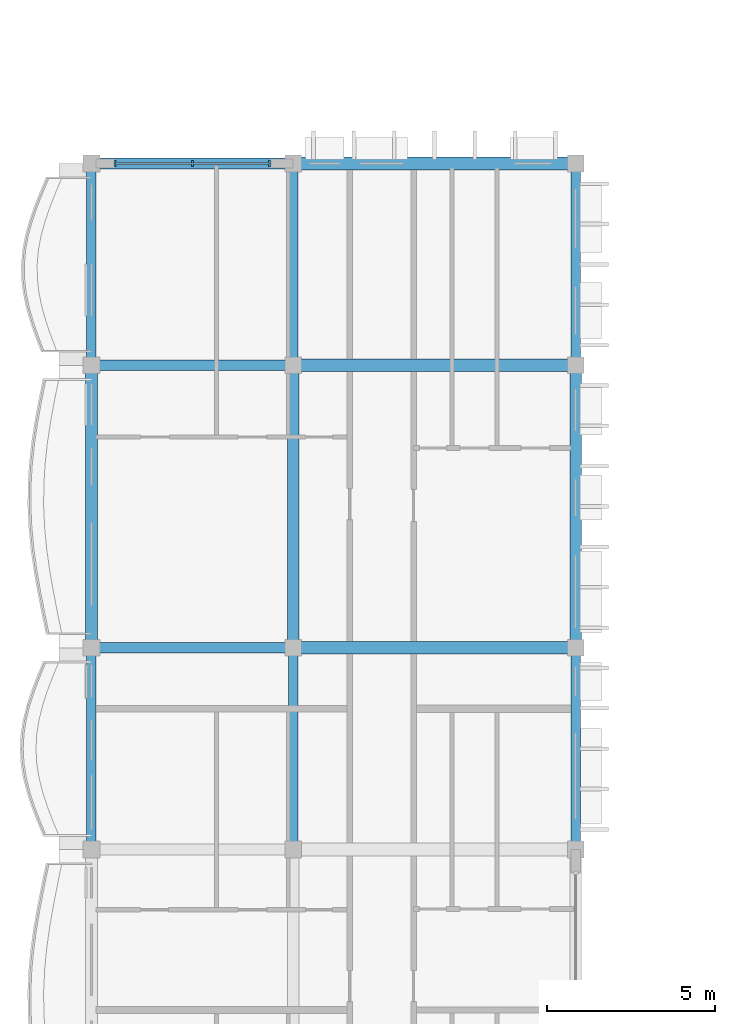
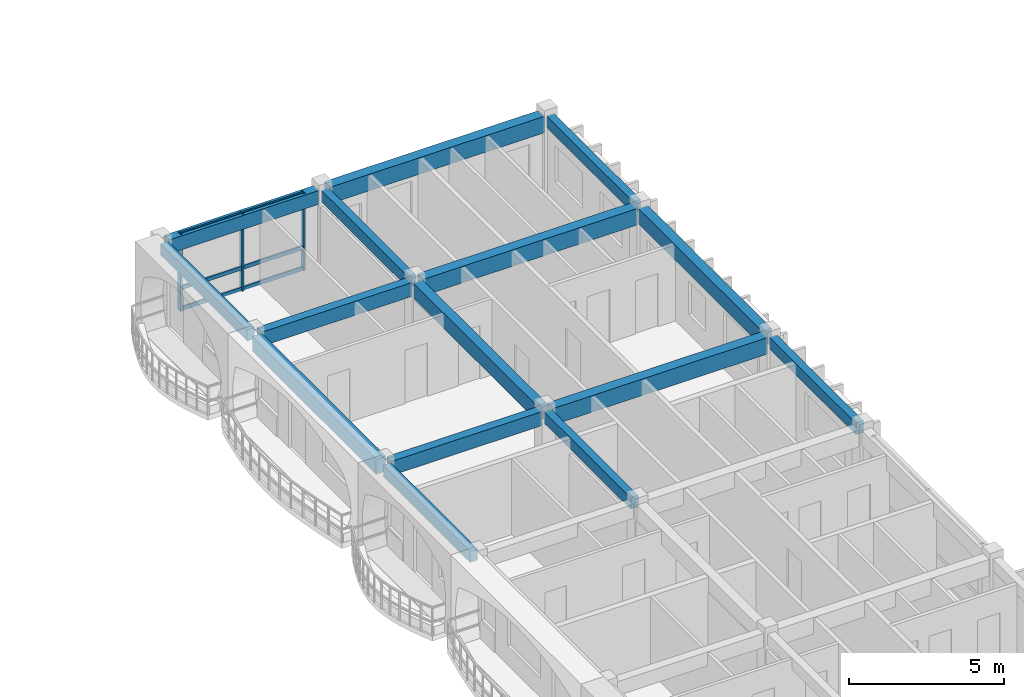
# One storey, part 7 of 68: 15 beams, 6 members, 1 element without a shape of its own.
"""IFC4 building model written with IfcOpenShell, lengths in metres."""

from ifc_helpers import new_model, si_unit, direction, frame, origin, origin_2d, place, context, subcontext, project, spatial, rectangle, extrude, material, material_profile, profile_set, type_object, element, aggregate, save


model = new_model("IFC4")

# Units and contexts
model_context = context("Model", 3, precision=1e-05, world=origin(), true_north=direction((0.0, 1.0)))
body_context = subcontext(model_context, "Body", "Model", "MODEL_VIEW")
ifc_project = project(units=[si_unit("LENGTHUNIT", "METRE"), si_unit("AREAUNIT", "SQUARE_METRE"), si_unit("VOLUMEUNIT", "CUBIC_METRE"), si_unit("PLANEANGLEUNIT", "RADIAN"), si_unit("MASSUNIT", "GRAM", prefix="KILO"), si_unit("THERMODYNAMICTEMPERATUREUNIT", "KELVIN")], contexts=[model_context])

# Site, building, storey
site_placement = place(None, origin())
site = spatial("IfcSite", under=ifc_project, at=site_placement, CompositionType="ELEMENT")
building_placement = place(site_placement, origin())
building = spatial("IfcBuilding", under=site, at=building_placement, Name="Thalorik Housing Commons", CompositionType="ELEMENT")
storey_placement = place(building_placement, frame((0.0, 0.0, 24.60009765625)))
storey = spatial("IfcBuildingStorey", under=building, at=storey_placement, Name="L07", CompositionType="ELEMENT", Elevation=24.60009765625)

# Curtain wall, members
ifc_material_1 = material(Name="Anodised aluminium and solar-control low-E glass", Category="aluminium")
curtain_wall_type = type_object("IfcCurtainWallType", Name="ARC-CW-LOUNGE", PredefinedType="USERDEFINED", material=ifc_material_1)
curtain_wall_placement = place(storey_placement, origin())
curtain_wall = element("IfcCurtainWall", 1, at=curtain_wall_placement, inside=storey, type_object=curtain_wall_type, Name="L07 Curtain Wall CW-RES-L07-C-156", ObjectType="CURTAIN WALL", PredefinedType="USERDEFINED")
ifc_material_2 = material(Name="Anodised aluminium 6063-T6", Category="aluminium")
ifc_material_profile_1 = material_profile(ifc_material_2, rectangle(XDim=0.06494140625, YDim=0.179931640625, at=origin_2d()), Name="ALU MUL 65x180", Category="aluminium")
ifc_profile_set_1 = profile_set([ifc_material_profile_1], Name="Anodised aluminium 6063-T6")
member_type_1 = type_object("IfcMemberType", Name="ARC-CW-MUL-65x180", PredefinedType="MULLION", material=ifc_profile_set_1)
member_1_placement = place(storey_placement, frame((13.699951171875, 57.60009765625, 0.0), z_axis=(0.0, 0.0, 1.0), x_axis=(-1.0, 0.0, 0.0)))
member_1 = element("IfcMember", 2, at=member_1_placement, type_object=member_type_1, Name="CW-RES-L07-C-156 Mullion 1", PredefinedType="MULLION", context=body_context, shape_type="SweptSolid", body=[
    extrude(rectangle(XDim=0.06494140625, YDim=0.179931640625, at=origin_2d()), origin(), (0.0, 0.0, 1.0), 3.039794921875),
])
member_2_placement = place(storey_placement, frame((11.39990234375, 57.60009765625, 0.0), z_axis=(0.0, 0.0, 1.0), x_axis=(-1.0, 0.0, 0.0)))
member_2 = element("IfcMember", 3, at=member_2_placement, type_object=member_type_1, Name="CW-RES-L07-C-156 Mullion 2", PredefinedType="MULLION", context=body_context, shape_type="SweptSolid", body=[
    extrude(rectangle(XDim=0.06494140625, YDim=0.179931640625, at=origin_2d()), origin(), (0.0, 0.0, 1.0), 3.039794921875),
])
member_3_placement = place(storey_placement, frame((9.10009765625, 57.60009765625, 0.0), z_axis=(0.0, 0.0, 1.0), x_axis=(-1.0, 0.0, 0.0)))
member_3 = element("IfcMember", 4, at=member_3_placement, type_object=member_type_1, Name="CW-RES-L07-C-156 Mullion 3", PredefinedType="MULLION", context=body_context, shape_type="SweptSolid", body=[
    extrude(rectangle(XDim=0.06494140625, YDim=0.179931640625, at=origin_2d()), origin(), (0.0, 0.0, 1.0), 3.039794921875),
])
ifc_material_profile_2 = material_profile(ifc_material_2, rectangle(XDim=0.06494140625, YDim=0.14990234375, at=origin_2d()), Name="ALU TRN 65x150", Category="aluminium")
ifc_profile_set_2 = profile_set([ifc_material_profile_2], Name="Anodised aluminium 6063-T6")
member_type_2 = type_object("IfcMemberType", Name="ARC-CW-TRN-65x150", PredefinedType="USERDEFINED", material=ifc_profile_set_2)
member_4_placement = place(storey_placement, frame((13.699951171875, 57.60009765625, 0.054931640625), z_axis=(-1.0, 0.0, 0.0), x_axis=(0.0, -1.0, 0.0)))
member_4 = element("IfcMember", 5, at=member_4_placement, type_object=member_type_2, Name="CW-RES-L07-C-156 Transom 1", ObjectType="TRANSOM", PredefinedType="USERDEFINED", context=body_context, shape_type="SweptSolid", body=[
    extrude(rectangle(XDim=0.06494140625, YDim=0.14990234375, at=origin_2d()), origin(), (0.0, 0.0, 1.0), 4.599853515625),
])
member_5_placement = place(storey_placement, frame((13.699951171875, 57.60009765625, 0.8798828125), z_axis=(-1.0, 0.0, 0.0), x_axis=(0.0, -1.0, 0.0)))
member_5 = element("IfcMember", 6, at=member_5_placement, type_object=member_type_2, Name="CW-RES-L07-C-156 Transom 2", ObjectType="TRANSOM", PredefinedType="USERDEFINED", context=body_context, shape_type="SweptSolid", body=[
    extrude(rectangle(XDim=0.06494140625, YDim=0.14990234375, at=origin_2d()), origin(), (0.0, 0.0, 1.0), 4.599853515625),
])
member_6_placement = place(storey_placement, frame((13.699951171875, 57.60009765625, 2.98486328125), z_axis=(-1.0, 0.0, 0.0), x_axis=(0.0, -1.0, 0.0)))
member_6 = element("IfcMember", 7, at=member_6_placement, type_object=member_type_2, Name="CW-RES-L07-C-156 Transom 3", ObjectType="TRANSOM", PredefinedType="USERDEFINED", context=body_context, shape_type="SweptSolid", body=[
    extrude(rectangle(XDim=0.06494140625, YDim=0.14990234375, at=origin_2d()), origin(), (0.0, 0.0, 1.0), 4.599853515625),
])
aggregate(curtain_wall, [member_1, member_2, member_3, member_4, member_5, member_6])

# Beams
ifc_material_3 = material(Name="Precast concrete C40/50", Category="concrete")
ifc_material_profile_3 = material_profile(ifc_material_3, rectangle(XDim=0.280029296875, YDim=0.449951171875, at=origin_2d()), Name="PC 280x450", Category="concrete")
ifc_profile_set_3 = profile_set([ifc_material_profile_3], Name="Precast concrete C40/50")
beam_type_1 = type_object("IfcBeamType", Name="STR-BM-PC280x450", PredefinedType="BEAM", material=ifc_profile_set_3)
beam_1_placement = place(storey_placement, frame((8.39990234375, 37.39990234375, 2.81494140625), z_axis=(0.0, 1.0, 0.0), x_axis=(-1.0, 0.0, 0.0)))
element("IfcBeam", 8, at=beam_1_placement, inside=storey, type_object=beam_type_1, Name="L07 Beam B-450", PredefinedType="BEAM", context=body_context, shape_type="SweptSolid", body=[
    extrude(rectangle(XDim=0.280029296875, YDim=0.449951171875, at=origin_2d()), origin(), (0.0, 0.0, 1.0), 5.60009765625),
])
beam_2_placement = place(storey_placement, frame((8.39990234375, 51.800048828125, 2.81494140625), z_axis=(0.0, 1.0, 0.0), x_axis=(-1.0, 0.0, 0.0)))
element("IfcBeam", 9, at=beam_2_placement, inside=storey, type_object=beam_type_1, Name="L07 Beam B-450", PredefinedType="BEAM", context=body_context, shape_type="SweptSolid", body=[
    extrude(rectangle(XDim=0.280029296875, YDim=0.449951171875, at=origin_2d()), origin(), (0.0, 0.0, 1.0), 5.599853515625),
])
beam_3_placement = place(storey_placement, frame((14.39990234375, 37.39990234375, 2.81494140625), z_axis=(0.0, 1.0, 0.0), x_axis=(-1.0, 0.0, 0.0)))
element("IfcBeam", 10, at=beam_3_placement, inside=storey, type_object=beam_type_1, Name="L07 Beam B-450", PredefinedType="BEAM", context=body_context, shape_type="SweptSolid", body=[
    extrude(rectangle(XDim=0.280029296875, YDim=0.449951171875, at=origin_2d()), origin(), (0.0, 0.0, 1.0), 5.60009765625),
])
beam_4_placement = place(storey_placement, frame((14.39990234375, 51.800048828125, 2.81494140625), z_axis=(0.0, 1.0, 0.0), x_axis=(-1.0, 0.0, 0.0)))
element("IfcBeam", 11, at=beam_4_placement, inside=storey, type_object=beam_type_1, Name="L07 Beam B-450", PredefinedType="BEAM", context=body_context, shape_type="SweptSolid", body=[
    extrude(rectangle(XDim=0.280029296875, YDim=0.449951171875, at=origin_2d()), origin(), (0.0, 0.0, 1.0), 5.599853515625),
])
beam_5_placement = place(storey_placement, frame((22.800048828125, 37.39990234375, 2.81494140625), z_axis=(0.0, 1.0, 0.0), x_axis=(-1.0, 0.0, 0.0)))
element("IfcBeam", 12, at=beam_5_placement, inside=storey, type_object=beam_type_1, Name="L07 Beam B-450", PredefinedType="BEAM", context=body_context, shape_type="SweptSolid", body=[
    extrude(rectangle(XDim=0.280029296875, YDim=0.449951171875, at=origin_2d()), origin(), (0.0, 0.0, 1.0), 5.60009765625),
])
beam_6_placement = place(storey_placement, frame((22.800048828125, 51.800048828125, 2.81494140625), z_axis=(0.0, 1.0, 0.0), x_axis=(-1.0, 0.0, 0.0)))
element("IfcBeam", 13, at=beam_6_placement, inside=storey, type_object=beam_type_1, Name="L07 Beam B-450", PredefinedType="BEAM", context=body_context, shape_type="SweptSolid", body=[
    extrude(rectangle(XDim=0.280029296875, YDim=0.449951171875, at=origin_2d()), origin(), (0.0, 0.0, 1.0), 5.599853515625),
])
ifc_material_profile_4 = material_profile(ifc_material_3, rectangle(XDim=0.320068359375, YDim=0.550048828125, at=origin_2d()), Name="PC 320x550", Category="concrete")
ifc_profile_set_4 = profile_set([ifc_material_profile_4], Name="Precast concrete C40/50")
beam_type_2 = type_object("IfcBeamType", Name="STR-BM-PC320x550", PredefinedType="BEAM", material=ifc_profile_set_4)
for number, where, z_axis, x_axis, name in (
    (14, (8.60009765625, 43.199951171875, 2.764892578125), (1.0, 0.0, 0.0), (0.0, 1.0, 0.0), "L07 Beam B-550"),
    (15, (8.60009765625, 51.60009765625, 2.764892578125), (1.0, 0.0, 0.0), (0.0, 1.0, 0.0), "L07 Beam B-550"),
    (16, (8.60009765625, 57.60009765625, 2.764892578125), (1.0, 0.0, 0.0), (0.0, 1.0, 0.0), "L07 Beam B-550"),
):
    element("IfcBeam", number, at=place(storey_placement, frame(where, z_axis=z_axis, x_axis=x_axis)), inside=storey, type_object=beam_type_2, Name=name, PredefinedType="BEAM", context=body_context, shape_type="SweptSolid", body=[
        extrude(rectangle(XDim=0.320068359375, YDim=0.550048828125, at=origin_2d()), origin(), (0.0, 0.0, 1.0), 5.599853515625),
    ])
ifc_material_profile_5 = material_profile(ifc_material_3, rectangle(XDim=0.35009765625, YDim=0.60009765625, at=origin_2d()), Name="PC 350x600", Category="concrete")
ifc_profile_set_5 = profile_set([ifc_material_profile_5], Name="Precast concrete C40/50")
beam_type_3 = type_object("IfcBeamType", Name="STR-BM-PC350x600", PredefinedType="BEAM", material=ifc_profile_set_5)
for number, where, z_axis, x_axis, name in (
    (17, (8.39990234375, 43.39990234375, 2.739990234375), (0.0, 1.0, 0.0), (-1.0, 0.0, 0.0), "L07 Beam B-600"),
    (18, (14.39990234375, 43.39990234375, 2.739990234375), (0.0, 1.0, 0.0), (-1.0, 0.0, 0.0), "L07 Beam B-600"),
    (19, (22.800048828125, 43.39990234375, 2.739990234375), (0.0, 1.0, 0.0), (-1.0, 0.0, 0.0), "L07 Beam B-600"),
):
    element("IfcBeam", number, at=place(storey_placement, frame(where, z_axis=z_axis, x_axis=x_axis)), inside=storey, type_object=beam_type_3, Name=name, PredefinedType="BEAM", context=body_context, shape_type="SweptSolid", body=[
        extrude(rectangle(XDim=0.35009765625, YDim=0.60009765625, at=origin_2d()), origin(), (0.0, 0.0, 1.0), 8.0),
    ])
ifc_material_profile_6 = material_profile(ifc_material_3, rectangle(XDim=0.3798828125, YDim=0.64990234375, at=origin_2d()), Name="PC 380x650", Category="concrete")
ifc_profile_set_6 = profile_set([ifc_material_profile_6], Name="Precast concrete C40/50")
beam_type_4 = type_object("IfcBeamType", Name="STR-BM-PC380x650", PredefinedType="BEAM", material=ifc_profile_set_6)
for number, where, z_axis, x_axis, name in (
    (20, (14.60009765625, 43.199951171875, 2.71484375), (1.0, 0.0, 0.0), (0.0, 1.0, 0.0), "L07 Beam B-650"),
    (21, (14.60009765625, 51.60009765625, 2.71484375), (1.0, 0.0, 0.0), (0.0, 1.0, 0.0), "L07 Beam B-650"),
    (22, (14.60009765625, 57.60009765625, 2.71484375), (1.0, 0.0, 0.0), (0.0, 1.0, 0.0), "L07 Beam B-650"),
):
    element("IfcBeam", number, at=place(storey_placement, frame(where, z_axis=z_axis, x_axis=x_axis)), inside=storey, type_object=beam_type_4, Name=name, PredefinedType="BEAM", context=body_context, shape_type="SweptSolid", body=[
        extrude(rectangle(XDim=0.3798828125, YDim=0.64990234375, at=origin_2d()), origin(), (0.0, 0.0, 1.0), 8.0),
    ])

save(model, "model.ifc")
